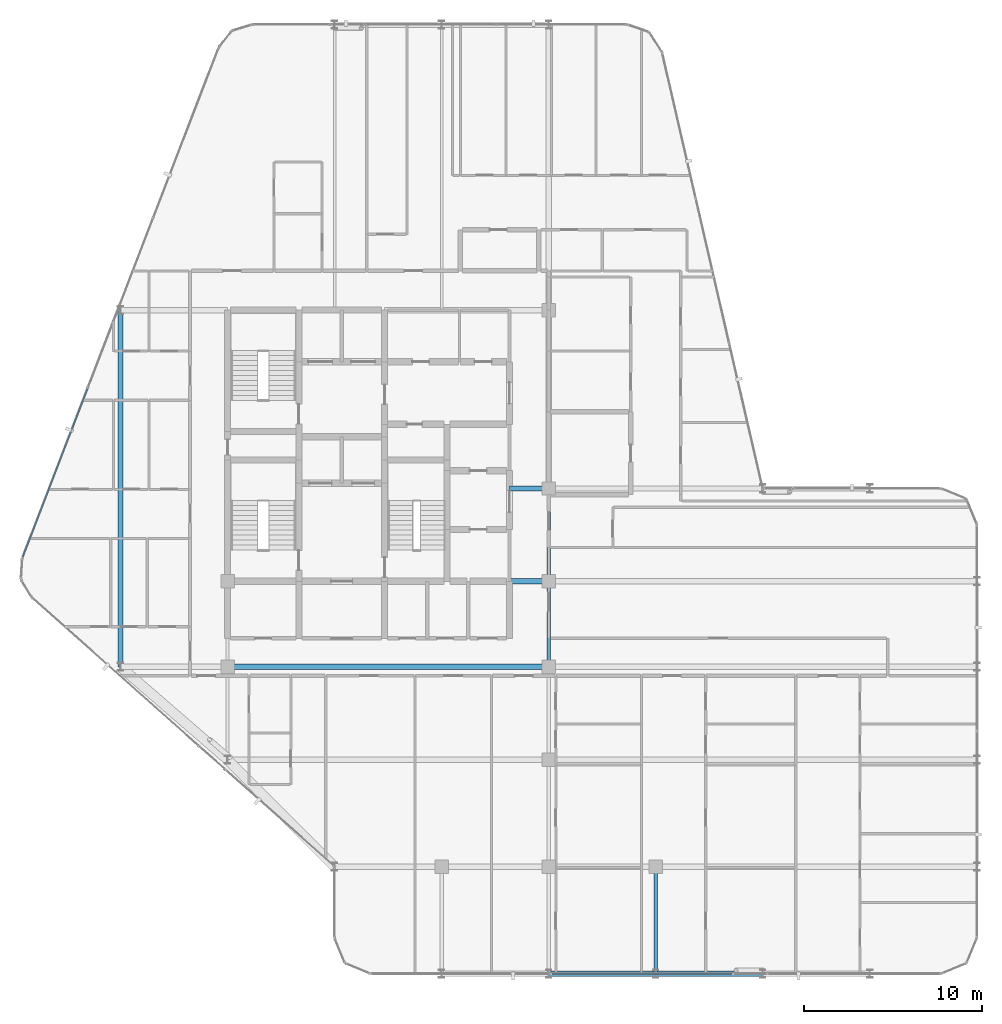
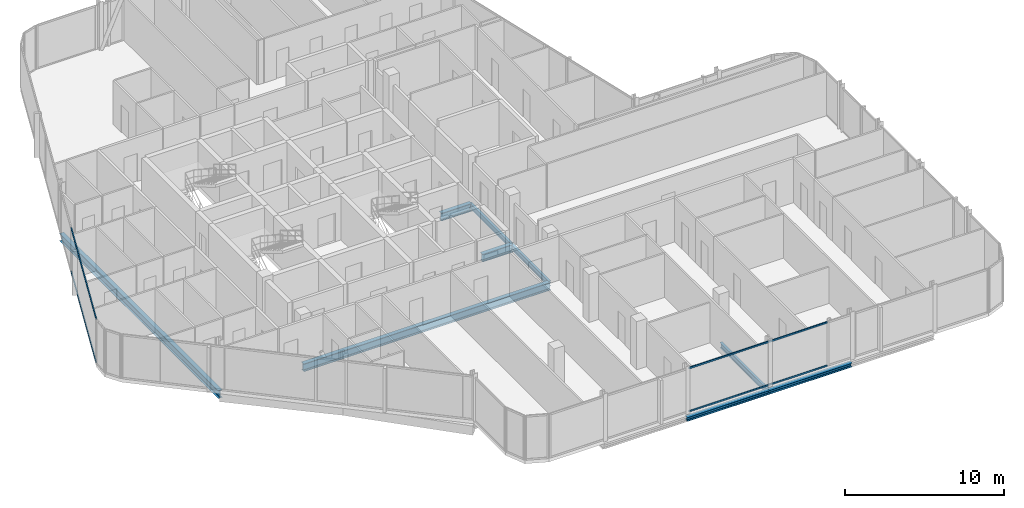
# One storey, part 9 of 29: 9 beams, 4 members, 2 elements without a shape of their own.
"""IFC4 building model written with IfcOpenShell, lengths in metres."""

from ifc_helpers import new_model, si_unit, direction, frame, origin, origin_2d, place, context, subcontext, project, spatial, hollow_rectangle, i_section, extrude, material, layer, layer_set, material_profile, profile_set, type_object, element, aggregate, save


model = new_model("IFC4")

# Units and contexts
model_context = context("Model", 3, precision=1e-05, world=origin(), true_north=direction((0.0, 1.0)))
body_context = subcontext(model_context, "Body", "Model", "MODEL_VIEW")
ifc_project = project(units=[si_unit("LENGTHUNIT", "METRE"), si_unit("AREAUNIT", "SQUARE_METRE"), si_unit("VOLUMEUNIT", "CUBIC_METRE"), si_unit("PLANEANGLEUNIT", "RADIAN"), si_unit("MASSUNIT", "GRAM", prefix="KILO")], contexts=[model_context])

# Site, building, storey
site_placement = place(None, origin())
site = spatial("IfcSite", under=ifc_project, at=site_placement, CompositionType="ELEMENT")
building_placement = place(site_placement, origin())
building = spatial("IfcBuilding", under=site, at=building_placement, Name="Keshet Zoharim Tower", CompositionType="ELEMENT")
storey_placement = place(building_placement, frame((0.0, 0.0, 226.5)))
storey = spatial("IfcBuildingStorey", under=building, at=storey_placement, Name="L56", CompositionType="ELEMENT", Elevation=226.5)

# Beams
ifc_material_1 = material(Name="Steel S355", Category="steel")
ifc_material_profile_1 = material_profile(ifc_material_1, i_section(OverallWidth=0.300048828125, OverallDepth=0.60009765625, WebThickness=0.015380859375, FlangeThickness=0.030029296875, FilletRadius=0.027099609375, at=origin_2d()), Name="HEB600")
ifc_profile_set_1 = profile_set([ifc_material_profile_1], Name="Steel S355")
beam_type_1 = type_object("IfcBeamType", Name="BM-CLK-HB600", PredefinedType="BEAM", material=ifc_profile_set_1)
for number, where, z_axis, x_axis, name in (
    (1, (30.800048828125, 22.699951171875, -0.610107421875), (1.0, 0.0, 0.0), (0.0, 1.0, 0.0), "L56 Core Wall Link Girder 01"),
    (2, (30.800048828125, 27.89990234375, -0.610107421875), (1.0, 0.0, 0.0), (0.0, 1.0, 0.0), "L56 Core Wall Link Girder 02"),
):
    element("IfcBeam", number, at=place(storey_placement, frame(where, z_axis=z_axis, x_axis=x_axis)), inside=storey, type_object=beam_type_1, Name=name, PredefinedType="BEAM", context=body_context, shape_type="SweptSolid", body=[
        extrude(i_section(OverallWidth=0.300048828125, OverallDepth=0.60009765625, WebThickness=0.015380859375, FlangeThickness=0.030029296875, FilletRadius=0.027099609375, at=origin_2d()), origin(), (0.0, 0.0, 1.0), 2.199951171875),
    ])
ifc_material_profile_2 = material_profile(ifc_material_1, i_section(OverallWidth=0.300048828125, OverallDepth=0.60009765625, WebThickness=0.015380859375, FlangeThickness=0.030029296875, FilletRadius=0.027099609375, at=origin_2d()), Name="HEB600")
ifc_profile_set_2 = profile_set([ifc_material_profile_2], Name="Steel S355")
beam_type_2 = type_object("IfcBeamType", Name="BM-LNG-HB600", PredefinedType="BEAM", material=ifc_profile_set_2)
beam_1_placement = place(storey_placement, frame((15.0, 17.89990234375, -0.610107421875), z_axis=(1.0, 0.0, 0.0), x_axis=(0.0, 1.0, 0.0)))
element("IfcBeam", 3, at=beam_1_placement, inside=storey, type_object=beam_type_2, Name="L56 Primary Girder X-012", PredefinedType="BEAM", context=body_context, shape_type="SweptSolid", body=[
    extrude(i_section(OverallWidth=0.300048828125, OverallDepth=0.60009765625, WebThickness=0.015380859375, FlangeThickness=0.030029296875, FilletRadius=0.027099609375, at=origin_2d()), origin(), (0.0, 0.0, 1.0), 18.0),
])
beam_2_placement = place(storey_placement, frame((9.0, 17.89990234375, -0.610107421875), z_axis=(0.0, 1.0, 0.0), x_axis=(-1.0, 0.0, 0.0)))
element("IfcBeam", 4, at=beam_2_placement, inside=storey, type_object=beam_type_2, Name="L56 Primary Girder Y-001", PredefinedType="BEAM", context=body_context, shape_type="SweptSolid", body=[
    extrude(i_section(OverallWidth=0.300048828125, OverallDepth=0.60009765625, WebThickness=0.015380859375, FlangeThickness=0.030029296875, FilletRadius=0.027099609375, at=origin_2d()), origin(), (0.0, 0.0, 1.0), 20.0),
])
ifc_material_profile_3 = material_profile(ifc_material_1, i_section(OverallWidth=0.300048828125, OverallDepth=0.300048828125, WebThickness=0.010986328125, FlangeThickness=0.01904296875, FilletRadius=0.027099609375, at=origin_2d()), Name="HEB300")
ifc_profile_set_3 = profile_set([ifc_material_profile_3], Name="Steel S355")
beam_type_3 = type_object("IfcBeamType", Name="BM-PRI-HB300", PredefinedType="BEAM", material=ifc_profile_set_3)
for number, where, z_axis, x_axis, name in (
    (5, (33.0, 0.699951171875, -0.4599609375), (1.0, 0.0, 0.0), (0.0, 1.0, 0.0), "L56 Primary Girder X-002"),
    (6, (39.0, 0.699951171875, -0.4599609375), (1.0, 0.0, 0.0), (0.0, 1.0, 0.0), "L56 Primary Girder X-003"),
):
    element("IfcBeam", number, at=place(storey_placement, frame(where, z_axis=z_axis, x_axis=x_axis)), inside=storey, type_object=beam_type_3, Name=name, PredefinedType="BEAM", context=body_context, shape_type="SweptSolid", body=[
        extrude(i_section(OverallWidth=0.300048828125, OverallDepth=0.300048828125, WebThickness=0.010986328125, FlangeThickness=0.01904296875, FilletRadius=0.027099609375, at=origin_2d()), origin(), (0.0, 0.0, 1.0), 6.0),
    ])
ifc_material_profile_4 = material_profile(ifc_material_1, i_section(OverallWidth=0.179931640625, OverallDepth=0.39990234375, WebThickness=0.008544921875, FlangeThickness=0.013427734375, FilletRadius=0.02099609375, at=origin_2d()), Name="IPE400")
ifc_profile_set_4 = profile_set([ifc_material_profile_4], Name="Steel S355")
beam_type_4 = type_object("IfcBeamType", Name="BM-PRI-IP400", PredefinedType="BEAM", material=ifc_profile_set_4)
beam_3_placement = place(storey_placement, frame((33.0, 17.89990234375, -0.510009765625), z_axis=(0.0, 1.0, 0.0), x_axis=(-1.0, 0.0, 0.0)))
element("IfcBeam", 7, at=beam_3_placement, inside=storey, type_object=beam_type_4, Name="L56 Primary Girder Y-008", PredefinedType="BEAM", context=body_context, shape_type="SweptSolid", body=[
    extrude(i_section(OverallWidth=0.179931640625, OverallDepth=0.39990234375, WebThickness=0.008544921875, FlangeThickness=0.013427734375, FilletRadius=0.02099609375, at=origin_2d()), origin(), (0.0, 0.0, 1.0), 4.800048828125),
])
beam_4_placement = place(storey_placement, frame((33.0, 22.699951171875, -0.510009765625), z_axis=(0.0, 1.0, 0.0), x_axis=(-1.0, 0.0, 0.0)))
element("IfcBeam", 8, at=beam_4_placement, inside=storey, type_object=beam_type_4, Name="L56 Primary Girder Y-009", PredefinedType="BEAM", context=body_context, shape_type="SweptSolid", body=[
    extrude(i_section(OverallWidth=0.179931640625, OverallDepth=0.39990234375, WebThickness=0.008544921875, FlangeThickness=0.013427734375, FilletRadius=0.02099609375, at=origin_2d()), origin(), (0.0, 0.0, 1.0), 5.199951171875),
])
beam_5_placement = place(storey_placement, frame((39.0, 0.699951171875, -0.510009765625), z_axis=(0.0, 1.0, 0.0), x_axis=(-1.0, 0.0, 0.0)))
element("IfcBeam", 9, at=beam_5_placement, inside=storey, type_object=beam_type_4, Name="L56 Primary Girder Y-012", PredefinedType="BEAM", context=body_context, shape_type="SweptSolid", body=[
    extrude(i_section(OverallWidth=0.179931640625, OverallDepth=0.39990234375, WebThickness=0.008544921875, FlangeThickness=0.013427734375, FilletRadius=0.02099609375, at=origin_2d()), origin(), (0.0, 0.0, 1.0), 6.0),
])

# Curtain wall, members
ifc_material_2 = material(Name="Aluminium 6063-T6", Category="aluminium")
ifc_layer = layer(ifc_material_2, 0.139892578125)
ifc_layer_set = layer_set([ifc_layer], Name="Aluminium 6063-T6")
curtain_wall_type = type_object("IfcCurtainWallType", Name="CW-SYS-05", PredefinedType="NOTDEFINED", material=ifc_layer_set)
curtain_wall_1_placement = place(storey_placement, origin())
curtain_wall_1 = element("IfcCurtainWall", 10, at=curtain_wall_1_placement, inside=storey, type_object=curtain_wall_type, Name="L56 Unitised Curtain Wall 06 Part 3", PredefinedType="NOTDEFINED")
ifc_material_profile_5 = material_profile(ifc_material_2, hollow_rectangle(XDim=0.074951171875, YDim=0.1201171875, WallThickness=0.00390625, at=origin_2d()), Name="TRN-75x120")
ifc_profile_set_5 = profile_set([ifc_material_profile_5], Name="Aluminium 6063-T6")
member_type = type_object("IfcMemberType", Name="CWT-T12", PredefinedType="USERDEFINED", material=ifc_profile_set_5)
member_1_placement = place(storey_placement, frame((43.275146484375, 0.699951171875, 0.034912109375), z_axis=(-1.0, 0.0, 0.0), x_axis=(0.0, -1.0, 0.0)))
member_1 = element("IfcMember", 11, at=member_1_placement, type_object=member_type, Name="CW-05 transom 1.1", ObjectType="TRANSOM", PredefinedType="USERDEFINED", context=body_context, shape_type="SweptSolid", body=[
    extrude(hollow_rectangle(XDim=0.074951171875, YDim=0.1201171875, WallThickness=0.00390625, at=origin_2d()), origin(), (0.0, 0.0, 1.0), 10.1025390625),
])
member_2_placement = place(storey_placement, frame((43.275146484375, 0.699951171875, 3.35498046875), z_axis=(-1.0, 0.0, 0.0), x_axis=(0.0, -1.0, 0.0)))
member_2 = element("IfcMember", 12, at=member_2_placement, type_object=member_type, Name="CW-05 transom 1.2", ObjectType="TRANSOM", PredefinedType="USERDEFINED", context=body_context, shape_type="SweptSolid", body=[
    extrude(hollow_rectangle(XDim=0.074951171875, YDim=0.1201171875, WallThickness=0.00390625, at=origin_2d()), origin(), (0.0, 0.0, 1.0), 10.1025390625),
])
aggregate(curtain_wall_1, [member_1, member_2])

curtain_wall_2_placement = place(storey_placement, origin())
curtain_wall_2 = element("IfcCurtainWall", 13, at=curtain_wall_2_placement, inside=storey, type_object=curtain_wall_type, Name="L56 Unitised Curtain Wall 13", PredefinedType="NOTDEFINED")
member_3_placement = place(storey_placement, frame((3.522216796875, 24.058349609375, 0.034912109375), z_axis=(0.358993631387, 0.93334000912, 0.0), x_axis=(-0.93334000912, 0.358993631387, 0.0)))
member_3 = element("IfcMember", 14, at=member_3_placement, type_object=member_type, Name="CW-05 transom 1.1", ObjectType="TRANSOM", PredefinedType="USERDEFINED", context=body_context, shape_type="SweptSolid", body=[
    extrude(hollow_rectangle(XDim=0.074951171875, YDim=0.1201171875, WallThickness=0.00390625, at=origin_2d()), origin(), (0.0, 0.0, 1.0), 10.1181640625),
])
member_4_placement = place(storey_placement, frame((3.522216796875, 24.058349609375, 3.35498046875), z_axis=(0.358993631387, 0.93334000912, 0.0), x_axis=(-0.93334000912, 0.358993631387, 0.0)))
member_4 = element("IfcMember", 15, at=member_4_placement, type_object=member_type, Name="CW-05 transom 1.2", ObjectType="TRANSOM", PredefinedType="USERDEFINED", context=body_context, shape_type="SweptSolid", body=[
    extrude(hollow_rectangle(XDim=0.074951171875, YDim=0.1201171875, WallThickness=0.00390625, at=origin_2d()), origin(), (0.0, 0.0, 1.0), 10.1181640625),
])
aggregate(curtain_wall_2, [member_3, member_4])

save(model, "model.ifc")
